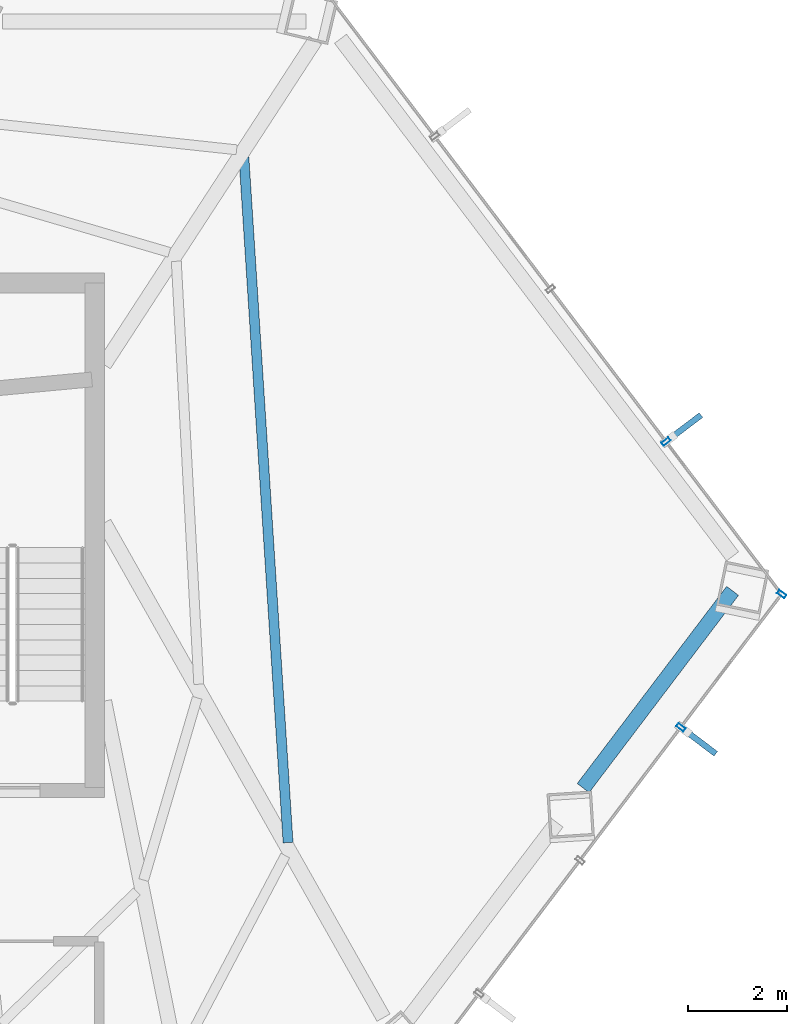
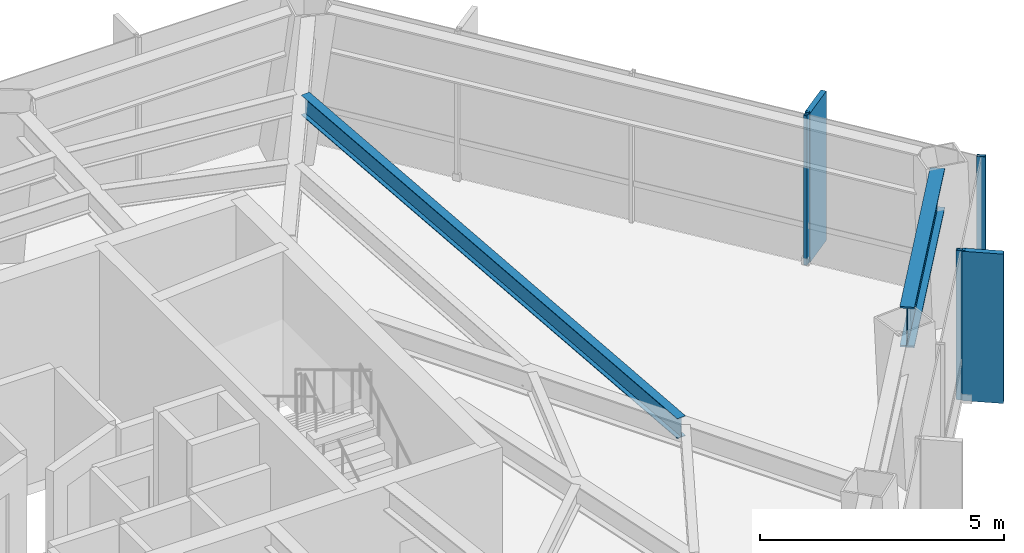
# One storey, part 18 of 25: 5 members, 2 beams, 2 elements without a shape of their own.
"""IFC4 building model written with IfcOpenShell, lengths in metres."""

import ifcopenshell
import ifcopenshell.guid

model = None  # the IFC model being written
_history = None  # IfcOwnerHistory: only IFC2X3 demands one
_inside = {}  # id of a spatial element -> (the spatial element, [elements in it])
_under = {}  # id of a project, library or spatial element -> (it, [spatial elements below it])
_declared = {}  # id of a project -> (the project, [libraries it declares])
_typed = {}  # id of a type object -> (the type object, [elements of that type])
_made_of = {}  # id of a material, layer set ... -> (it, [elements and type objects made of it])


def new_model(schema):
    """Start an empty IFC model of exactly this schema.

    Asked for "IFC4X3", IfcOpenShell would pick the latest addendum, in which some entities
    have other attributes; the version numbers below select the first issue.
    IFC2X3 requires an IfcOwnerHistory on every rooted entity: one is made here for all.
    """
    global model, _history
    if schema == "IFC4X3":
        model = ifcopenshell.file(schema_version=(4, 3, 0, 0))
    else:
        model = ifcopenshell.file(schema=schema)
    _inside.clear()
    _under.clear()
    _declared.clear()
    _typed.clear()
    _made_of.clear()
    _history = None
    if model.schema == "IFC2X3":
        org = make("IfcOrganization", Name="unknown")
        user = make(
            "IfcPersonAndOrganization",
            ThePerson=make("IfcPerson", FamilyName="unknown"),
            TheOrganization=org,
        )
        app = make(
            "IfcApplication",
            ApplicationDeveloper=org,
            Version="unknown",
            ApplicationFullName="unknown",
            ApplicationIdentifier="unknown",
        )
        _history = make(
            "IfcOwnerHistory",
            OwningUser=user,
            OwningApplication=app,
            ChangeAction="ADDED",
            CreationDate=0,
        )
    return model


def make(cls, **values):
    """One entity of the class cls with the attributes given. An attribute that is None is left unset."""
    return model.create_entity(
        cls, **{name: value for name, value in values.items() if value is not None}
    )


def rooted(cls, **values):
    """An entity with a GlobalId (a new one), such as an element, a storey or a relation."""
    return make(cls, GlobalId=ifcopenshell.guid.new(), OwnerHistory=_history, **values)


def si_unit(unit_type, name, prefix=None):
    """IfcSIUnit, for example si_unit("LENGTHUNIT", "METRE", prefix="MILLI")."""
    return make("IfcSIUnit", UnitType=unit_type, Prefix=prefix, Name=name)


def assignment(units):
    """IfcUnitAssignment: the units of a project."""
    return None if units is None else make("IfcUnitAssignment", Units=units)


def point(xyz):
    """IfcCartesianPoint."""
    return None if xyz is None else make("IfcCartesianPoint", Coordinates=xyz)


def direction(xyz):
    """IfcDirection."""
    return None if xyz is None else make("IfcDirection", DirectionRatios=xyz)


def frame(location, z_axis=None, x_axis=None):
    """IfcAxis2Placement3D, a coordinate frame: its origin and axes. An axis left out is left unset."""
    return make(
        "IfcAxis2Placement3D",
        Location=point(location),
        Axis=direction(z_axis),
        RefDirection=direction(x_axis),
    )


def frame_2d(location, x_axis=None):
    """IfcAxis2Placement2D, a coordinate frame in the plane: its origin and x axis."""
    return make(
        "IfcAxis2Placement2D", Location=point(location), RefDirection=direction(x_axis)
    )


def origin():
    """The frame at (0, 0, 0) with its axes left unset."""
    return frame((0.0, 0.0, 0.0))


def origin_2d():
    """The frame at (0, 0) in the plane with its x axis left unset."""
    return frame_2d((0.0, 0.0))


def place(relative_to, where):
    """IfcLocalPlacement: puts the frame where relative to a parent placement (None: the world)."""
    return make(
        "IfcLocalPlacement", PlacementRelTo=relative_to, RelativePlacement=where
    )


def context(
    kind, dimensions, precision=None, world=None, true_north=None, identifier=None
):
    """IfcGeometricRepresentationContext, for example the 3D "Model" context."""
    return make(
        "IfcGeometricRepresentationContext",
        ContextIdentifier=identifier,
        ContextType=kind,
        CoordinateSpaceDimension=dimensions,
        Precision=precision,
        WorldCoordinateSystem=world,
        TrueNorth=true_north,
    )


def subcontext(parent, identifier, kind, view, scale=None):
    """IfcGeometricRepresentationSubContext, for example "Body" below "Model"."""
    return make(
        "IfcGeometricRepresentationSubContext",
        ContextIdentifier=identifier,
        ContextType=kind,
        ParentContext=parent,
        TargetScale=scale,
        TargetView=view,
    )


def project(units=None, contexts=None):
    """IfcProject with its units and contexts."""
    return rooted(
        "IfcProject",
        Name="project",
        RepresentationContexts=contexts,
        UnitsInContext=assignment(units),
    )


def spatial(cls, under=None, at=None, **own):
    """A site, building, storey or space (cls), placed at a placement, below another one or the project."""
    s = rooted(cls, ObjectPlacement=at, **own)
    if under is not None:
        _under.setdefault(under.id(), (under, []))[1].append(s)
    return s


def profile(cls, at=None, kind="AREA", **sizes):
    """A parametric profile (cls). Its sizes go by their IFC names, for example OverallWidth=200.0."""
    return make(cls, ProfileType=kind, Position=at, **sizes)


def rectangle(**sizes):
    """IfcRectangleProfileDef."""
    return profile("IfcRectangleProfileDef", **sizes)


def hollow_rectangle(**sizes):
    """IfcRectangleHollowProfileDef."""
    return profile("IfcRectangleHollowProfileDef", **sizes)


def i_section(**sizes):
    """IfcIShapeProfileDef."""
    return profile("IfcIShapeProfileDef", **sizes)


def extrude(swept, where, along, depth):
    """IfcExtrudedAreaSolid: the profile swept, set in the frame where, extruded along a direction by depth."""
    return make(
        "IfcExtrudedAreaSolid",
        SweptArea=swept,
        Position=where,
        ExtrudedDirection=direction(along),
        Depth=depth,
    )


def shape(context_of_items, identifier, shape_type, items):
    """IfcShapeRepresentation: the items that make up one representation, for example the "Body"."""
    return make(
        "IfcShapeRepresentation",
        ContextOfItems=context_of_items,
        RepresentationIdentifier=identifier,
        RepresentationType=shape_type,
        Items=items,
    )


def material(Name=None, Category=None):
    """IfcMaterial."""
    return make("IfcMaterial", Name=Name, Category=Category)


def layer(
    of_material, thickness, ventilated=None, Name=None, Category=None, Priority=None
):
    """IfcMaterialLayer: one layer of a wall or slab, of a material (None: an air gap)."""
    return make(
        "IfcMaterialLayer",
        Material=of_material,
        LayerThickness=thickness,
        IsVentilated=ventilated,
        Name=Name,
        Category=Category,
        Priority=Priority,
    )


def layer_set(layers, Name=None):
    """IfcMaterialLayerSet."""
    return make("IfcMaterialLayerSet", MaterialLayers=layers, LayerSetName=Name)


def material_profile(
    of_material, cross_section, Name=None, Category=None, Priority=None
):
    """IfcMaterialProfile: a cross section and its material."""
    return make(
        "IfcMaterialProfile",
        Name=Name,
        Material=of_material,
        Profile=cross_section,
        Priority=Priority,
        Category=Category,
    )


def profile_set(profiles, Name=None, composite=None):
    """IfcMaterialProfileSet."""
    return make(
        "IfcMaterialProfileSet",
        Name=Name,
        MaterialProfiles=profiles,
        CompositeProfile=composite,
    )


def made_of(thing, what):
    """Note that an element or type object is made of a material, layer set ...; save() writes the relation."""
    if what is not None:
        _made_of.setdefault(what.id(), (what, []))[1].append(thing)
    return thing


def type_object(cls, material=None, **own):
    """A type object (cls), such as IfcWallType, which elements share."""
    return made_of(rooted(cls, **own), material)


def element(
    cls,
    number,
    at=None,
    inside=None,
    cuts=None,
    type_object=None,
    material=None,
    context=None,
    identifier="Body",
    shape_type=None,
    held_by="IfcProductDefinitionShape",
    body=None,
    shapes=None,
    **own,
):
    """One element of the class cls, such as IfcWall. Its Tag is "e" and its number.

    at: its placement. inside: the storey or other place that contains it. cuts: it is an
    opening in that element (IfcRelVoidsElement). A single representation is given by context,
    identifier, shape_type and body (its items); several are given by shapes. held_by: the class
    of the entity that holds the representations. save() writes the other relations.
    """
    e = rooted(cls, Tag="e%d" % number, ObjectPlacement=at, **own)
    if body is not None:
        shapes = [shape(context, identifier, shape_type, body)]
    if shapes is not None:
        e.Representation = make(held_by, Representations=shapes)
    if inside is not None:
        _inside.setdefault(inside.id(), (inside, []))[1].append(e)
    if cuts is not None:
        rooted(
            "IfcRelVoidsElement", RelatingBuildingElement=cuts, RelatedOpeningElement=e
        )
    if type_object is not None:
        _typed.setdefault(type_object.id(), (type_object, []))[1].append(e)
    return made_of(e, material)


def aggregate(whole, parts):
    """IfcRelAggregates: a whole, such as a stair, and the parts it consists of."""
    return rooted("IfcRelAggregates", RelatingObject=whole, RelatedObjects=parts)


def save(model, path):
    """Write the relations noted so far, then the file.

    IfcRelAggregates (storeys below a building ...), IfcRelContainedInSpatialStructure (elements
    in a storey), IfcRelDefinesByType, IfcRelAssociatesMaterial and IfcRelDeclares: one each for
    every whole, place, type object, material and project.
    """
    for whole, parts in _under.values():
        aggregate(whole, parts)
    for where, things in _inside.values():
        rooted(
            "IfcRelContainedInSpatialStructure",
            RelatedElements=things,
            RelatingStructure=where,
        )
    for kind, things in _typed.values():
        rooted("IfcRelDefinesByType", RelatedObjects=things, RelatingType=kind)
    for what, things in _made_of.values():
        rooted("IfcRelAssociatesMaterial", RelatedObjects=things, RelatingMaterial=what)
    for by, libraries in _declared.values():
        rooted("IfcRelDeclares", RelatingContext=by, RelatedDefinitions=libraries)
    model.write(path)


model = new_model("IFC4")

# Units and contexts
model_context = context("Model", 3, precision=1e-05, world=origin(), true_north=direction((0.0, 1.0)))
body_context = subcontext(model_context, "Body", "Model", "MODEL_VIEW")
ifc_project = project(units=[si_unit("LENGTHUNIT", "METRE"), si_unit("AREAUNIT", "SQUARE_METRE"), si_unit("VOLUMEUNIT", "CUBIC_METRE"), si_unit("PLANEANGLEUNIT", "RADIAN"), si_unit("MASSUNIT", "GRAM", prefix="KILO")], contexts=[model_context])

# Site, building, storey
site_placement = place(None, origin())
site = spatial("IfcSite", under=ifc_project, at=site_placement, CompositionType="ELEMENT")
building_placement = place(site_placement, origin())
building = spatial("IfcBuilding", under=site, at=building_placement, Name="Zarrinselat Tower", CompositionType="ELEMENT")
storey_placement = place(building_placement, frame((0.0, 0.0, 105.06005859375)))
storey = spatial("IfcBuildingStorey", under=building, at=storey_placement, Name="L25", CompositionType="ELEMENT", Elevation=105.06005859375)

# Beams
ifc_material_1 = material(Name="Steel S460M", Category="steel")
ifc_material_profile_1 = material_profile(ifc_material_1, i_section(OverallWidth=0.302001953125, OverallDepth=1.008056640625, WebThickness=0.02099609375, FlangeThickness=0.0400390625, at=origin_2d()), Name="HEM 1000")
ifc_profile_set_1 = profile_set([ifc_material_profile_1], Name="Steel S460M")
beam_type_1 = type_object("IfcBeamType", Name="BM-HEM1000", PredefinedType="BEAM", material=ifc_profile_set_1)
beam_1_placement = place(storey_placement, frame((58.1298828125, 33.242919921875, 3.225830078125), z_axis=(0.603844526821, 0.79710211857, 0.0), x_axis=(-0.79710211857, 0.603844526821, 0.0)))
element("IfcBeam", 1, at=beam_1_placement, inside=storey, type_object=beam_type_1, Name="L25 Perimeter Spandrel Girder SP14", PredefinedType="BEAM", context=body_context, shape_type="SweptSolid", body=[
    extrude(i_section(OverallWidth=0.302001953125, OverallDepth=1.008056640625, WebThickness=0.02099609375, FlangeThickness=0.0400390625, at=origin_2d()), origin(), (0.0, 0.0, 1.0), 5.0),
])
ifc_material_2 = material(Name="Steel S355J2", Category="steel")
ifc_material_profile_2 = material_profile(ifc_material_2, i_section(OverallWidth=0.199951171875, OverallDepth=0.5, WebThickness=0.01025390625, FlangeThickness=0.01611328125, at=origin_2d()), Name="IPE 500")
ifc_profile_set_2 = profile_set([ifc_material_profile_2], Name="Steel S355J2")
beam_type_2 = type_object("IfcBeamType", Name="BM-IPE500", PredefinedType="JOIST", material=ifc_profile_set_2)
beam_2_placement = place(storey_placement, frame((51.2744140625, 45.986328125, 3.47998046875), z_axis=(0.064304261622, -0.997930339221, 0.0), x_axis=(0.997930339221, 0.064304261622, 0.0)))
element("IfcBeam", 2, at=beam_2_placement, inside=storey, type_object=beam_type_2, Name="L25 Composite Floor Joist 5-1", PredefinedType="JOIST", context=body_context, shape_type="SweptSolid", body=[
    extrude(i_section(OverallWidth=0.199951171875, OverallDepth=0.5, WebThickness=0.01025390625, FlangeThickness=0.01611328125, at=origin_2d()), origin(), (0.0, 0.0, 1.0), 13.873046875),
])

# Curtain wall, members
ifc_material_3 = material(Name="Extruded Aluminium Alloy EN AW-6063 T6", Category="aluminium")
ifc_layer = layer(ifc_material_3, 0.18505859375)
ifc_layer_set = layer_set([ifc_layer], Name="Extruded Aluminium Alloy EN AW-6063 T6")
curtain_wall_type = type_object("IfcCurtainWallType", Name="CWS-OFF", PredefinedType="NOTDEFINED", material=ifc_layer_set)
curtain_wall_1_placement = place(storey_placement, origin())
curtain_wall_1 = element("IfcCurtainWall", 3, at=curtain_wall_1_placement, inside=storey, type_object=curtain_wall_type, Name="L25 Unitised Curtain Wall CW-L25-E05", PredefinedType="NOTDEFINED")
ifc_material_4 = material(Name="Extruded Aluminium Alloy EN AW-6063 T6", Category="aluminium")
ifc_material_profile_3 = material_profile(ifc_material_4, hollow_rectangle(XDim=0.080078125, YDim=0.179931640625, WallThickness=0.0048828125, at=origin_2d()), Name="RHS 180x80x5")
ifc_profile_set_3 = profile_set([ifc_material_profile_3], Name="Extruded Aluminium Alloy EN AW-6063 T6")
member_type_1 = type_object("IfcMemberType", Name="MEM-CW-MUL", PredefinedType="MULLION", material=ifc_profile_set_3)
member_1_placement = place(storey_placement, frame((60.104248046875, 34.4697265625, 0.0), z_axis=(0.0, 0.0, 1.0), x_axis=(0.603858013909, 0.79709190125, 0.0)))
member_1 = element("IfcMember", 4, at=member_1_placement, type_object=member_type_1, Name="CW-L25-E05 Mullion 7", PredefinedType="MULLION", context=body_context, shape_type="SweptSolid", body=[
    extrude(hollow_rectangle(XDim=0.080078125, YDim=0.179931640625, WallThickness=0.0048828125, at=origin_2d()), origin(), (0.0, 0.0, 1.0), 3.72998046875),
])
member_2_placement = place(storey_placement, frame((62.142578125, 37.160400390625, 0.0), z_axis=(0.0, 0.0, 1.0), x_axis=(0.603858013909, 0.79709190125, 0.0)))
member_2 = element("IfcMember", 5, at=member_2_placement, type_object=member_type_1, Name="CW-L25-E05 Mullion 8", PredefinedType="MULLION", context=body_context, shape_type="SweptSolid", body=[
    extrude(hollow_rectangle(XDim=0.080078125, YDim=0.179931640625, WallThickness=0.0048828125, at=origin_2d()), origin(), (0.0, 0.0, 1.0), 3.72998046875),
])

# Curtain wall, member
curtain_wall_2_placement = place(storey_placement, origin())
curtain_wall_2 = element("IfcCurtainWall", 6, at=curtain_wall_2_placement, inside=storey, type_object=curtain_wall_type, Name="L25 Unitised Curtain Wall CW-L25-E06", PredefinedType="NOTDEFINED")
member_3_placement = place(storey_placement, frame((59.8056640625, 40.245361328125, 0.0), z_axis=(0.0, 0.0, 1.0), x_axis=(-0.6038584342, 0.797091582847, 0.0)))
member_3 = element("IfcMember", 7, at=member_3_placement, type_object=member_type_1, Name="CW-L25-E06 Mullion 1", PredefinedType="MULLION", context=body_context, shape_type="SweptSolid", body=[
    extrude(hollow_rectangle(XDim=0.080078125, YDim=0.179931640625, WallThickness=0.0048828125, at=origin_2d()), origin(), (0.0, 0.0, 1.0), 3.72998046875),
])

# Member
ifc_material_5 = material(Name="Honed Cream Travertine Stone", Category="masonry")
ifc_material_profile_4 = material_profile(ifc_material_5, rectangle(XDim=0.1201171875, YDim=0.85009765625, at=origin_2d()), Name="FIN 850x120")
ifc_profile_set_4 = profile_set([ifc_material_profile_4], Name="Honed Cream Travertine Stone")
member_type_2 = type_object("IfcMemberType", Name="MEM-STONE-FIN", PredefinedType="USERDEFINED", material=ifc_profile_set_4)
member_4_placement = place(storey_placement, frame((60.470947265625, 34.19189453125, 0.0), z_axis=(0.0, 0.0, 1.0), x_axis=(-0.603858013909, -0.79709190125, 0.0)))
member_4 = element("IfcMember", 8, at=member_4_placement, type_object=member_type_2, Name="L25 Stone Shading Fin CW-L25-E05-07", ObjectType="FIN", PredefinedType="USERDEFINED", context=body_context, shape_type="SweptSolid", body=[
    extrude(rectangle(XDim=0.1201171875, YDim=0.85009765625, at=origin_2d()), origin(), (0.0, 0.0, 1.0), 3.72998046875),
])

aggregate(curtain_wall_1, [member_1, member_4, member_2])

member_5_placement = place(storey_placement, frame((60.17236328125, 40.523193359375, 0.0), z_axis=(0.0, 0.0, 1.0), x_axis=(0.6038584342, -0.797091582847, 0.0)))
member_5 = element("IfcMember", 9, at=member_5_placement, type_object=member_type_2, Name="L25 Stone Shading Fin CW-L25-E06-01", ObjectType="FIN", PredefinedType="USERDEFINED", context=body_context, shape_type="SweptSolid", body=[
    extrude(rectangle(XDim=0.1201171875, YDim=0.85009765625, at=origin_2d()), origin(), (0.0, 0.0, 1.0), 3.72998046875),
])

aggregate(curtain_wall_2, [member_3, member_5])

save(model, "model.ifc")
